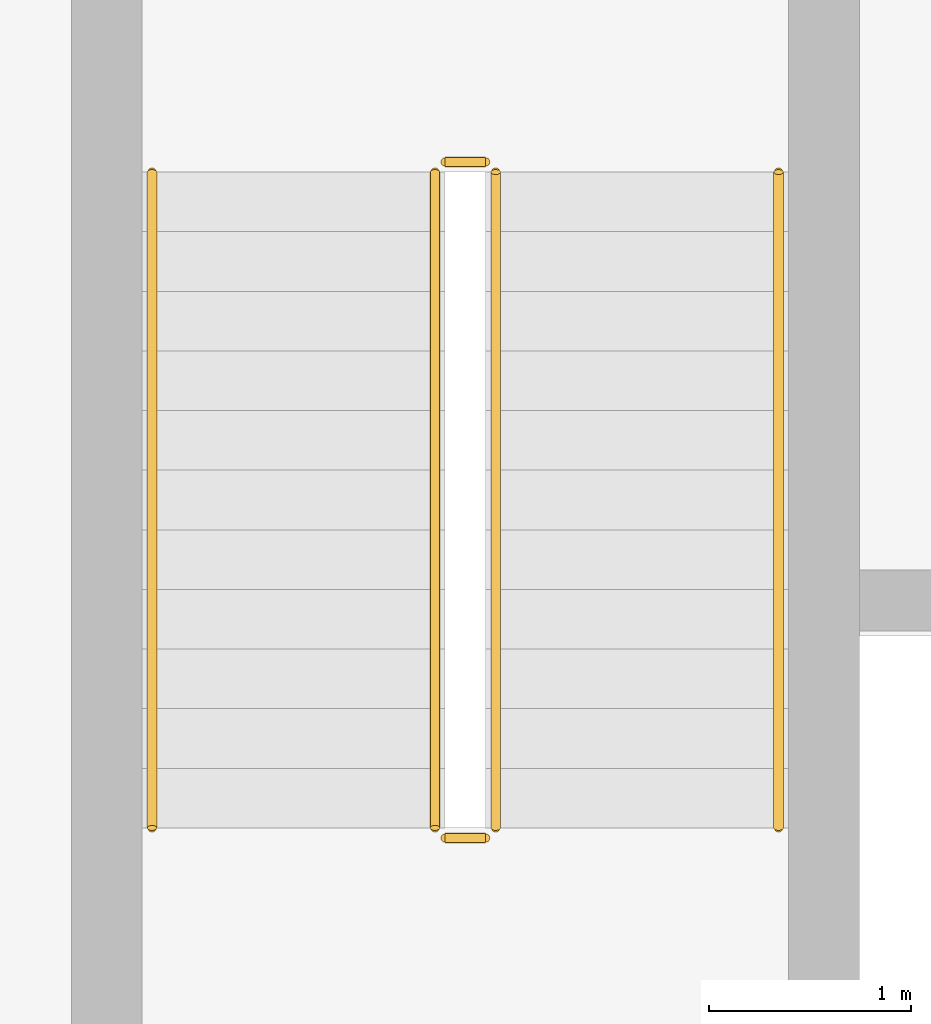
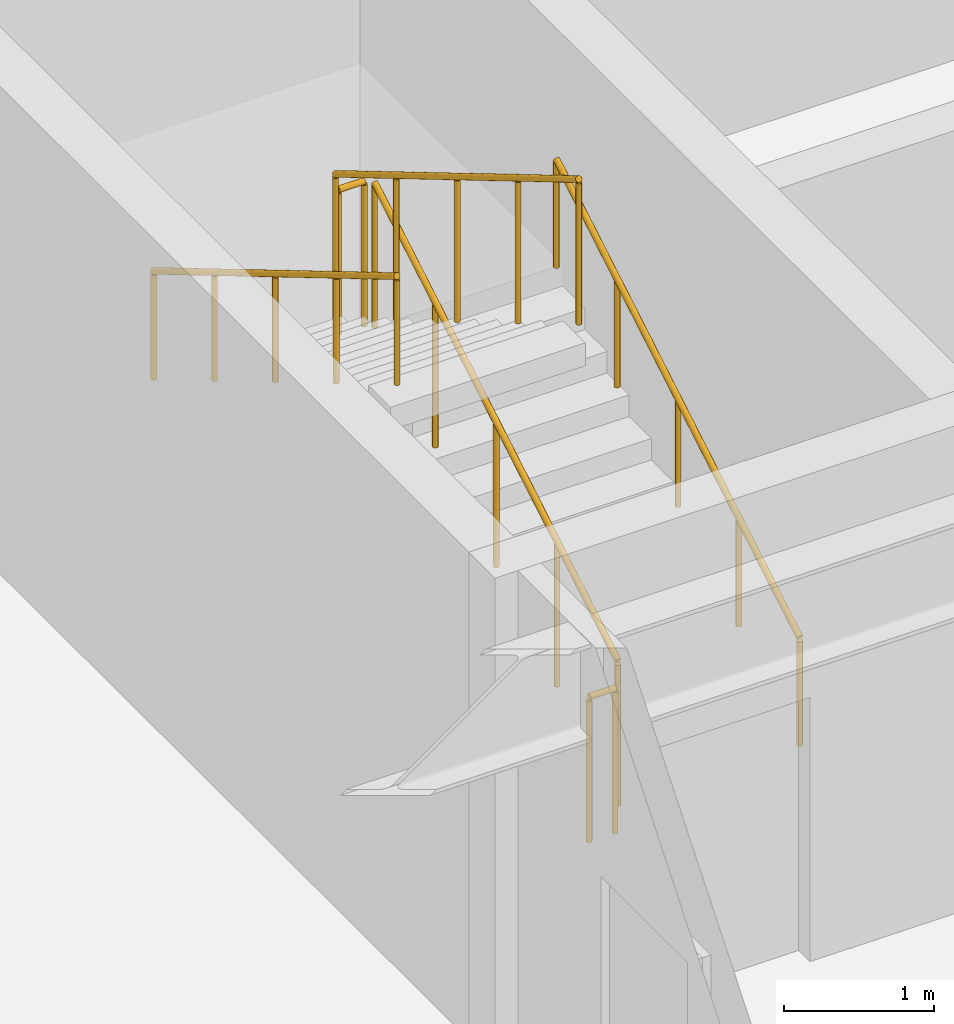
# One storey, part 86 of 88: 6 railings.
"""IFC4 building model written with IfcOpenShell, lengths in metres."""

from ifc_helpers import new_model, si_unit, direction, frame, origin, origin_2d, place, context, subcontext, project, spatial, circle, extrude, material, layer, layer_set, type_object, element, save


model = new_model("IFC4")

# Units and contexts
model_context = context("Model", 3, precision=1e-05, world=origin(), true_north=direction((0.0, 1.0)))
body_context = subcontext(model_context, "Body", "Model", "MODEL_VIEW")
ifc_project = project(units=[si_unit("LENGTHUNIT", "METRE"), si_unit("AREAUNIT", "SQUARE_METRE"), si_unit("VOLUMEUNIT", "CUBIC_METRE"), si_unit("PLANEANGLEUNIT", "RADIAN"), si_unit("MASSUNIT", "GRAM", prefix="KILO")], contexts=[model_context])

# Site, building, storey
site_placement = place(None, origin())
site = spatial("IfcSite", under=ifc_project, at=site_placement, CompositionType="ELEMENT")
building_placement = place(site_placement, origin())
building = spatial("IfcBuilding", under=site, at=building_placement, Name="Nordkorset Police Headquarters", CompositionType="ELEMENT")
storey_placement = place(building_placement, frame((0.0, 0.0, 9.449951171875)))
storey = spatial("IfcBuildingStorey", under=building, at=storey_placement, Name="L02", CompositionType="ELEMENT", Elevation=9.449951171875)

# Railings
ifc_material_1 = material(Name="Steel S355J2", Category="steel")
ifc_layer_1 = layer(ifc_material_1, 0.048095703125, Name="Steel S355J2")
ifc_layer_set_1 = layer_set([ifc_layer_1], Name="Steel S355J2")
railing_type_1 = type_object("IfcRailingType", Name="Railing_Handrail_900", PredefinedType="HANDRAIL", material=ifc_layer_set_1)
railing_1_placement = place(storey_placement, frame((109.125, 90.824951171875, 0.175048828125)))
element("IfcRailing", 1, at=railing_1_placement, inside=storey, type_object=railing_type_1, Name="L02 ST-05 stair handrail 1", PredefinedType="HANDRAIL", context=body_context, shape_type="SweptSolid", body=[
    extrude(circle(Radius=0.02392578125, at=origin_2d()), frame((0.0, 0.0, 0.8759765625), z_axis=(0.0, 0.860057060016, 0.510197857224), x_axis=(-1.0, 0.0, 0.0)), (0.0, 0.0, 1.0), 3.773193359375),
    extrude(circle(Radius=0.02099609375, at=origin_2d()), origin(), (0.0, 0.0, 1.0), 0.851806640625),
    extrude(circle(Radius=0.02099609375, at=origin_2d()), frame((0.0, 0.811279296875, 0.481201171875)), (0.0, 0.0, 1.0), 0.851806640625),
    extrude(circle(Radius=0.02099609375, at=origin_2d()), frame((0.0, 1.62255859375, 0.96240234375)), (0.0, 0.0, 1.0), 0.851806640625),
    extrude(circle(Radius=0.02099609375, at=origin_2d()), frame((0.0, 2.433837890625, 1.44384765625)), (0.0, 0.0, 1.0), 0.851806640625),
    extrude(circle(Radius=0.02099609375, at=origin_2d()), frame((0.0, 3.2451171875, 1.925048828125)), (0.0, 0.0, 1.0), 0.851806640625),
])
railing_2_placement = place(storey_placement, frame((106.02490234375, 94.070068359375, 2.275146484375)))
element("IfcRailing", 2, at=railing_2_placement, inside=storey, type_object=railing_type_1, Name="L02 ST-05 stair handrail 2", PredefinedType="HANDRAIL", context=body_context, shape_type="SweptSolid", body=[
    extrude(circle(Radius=0.02392578125, at=origin_2d()), frame((0.0, 0.0, 0.8759765625), z_axis=(0.0, -0.860085452069, 0.510149992786), x_axis=(1.0, 0.0, 0.0)), (0.0, 0.0, 1.0), 3.77294921875),
    extrude(circle(Radius=0.02099609375, at=origin_2d()), origin(), (0.0, 0.0, 1.0), 0.851806640625),
    extrude(circle(Radius=0.02099609375, at=origin_2d()), frame((0.0, -0.811279296875, 0.481201171875)), (0.0, 0.0, 1.0), 0.851806640625),
    extrude(circle(Radius=0.02099609375, at=origin_2d()), frame((0.0, -1.62255859375, 0.96240234375)), (0.0, 0.0, 1.0), 0.851806640625),
    extrude(circle(Radius=0.02099609375, at=origin_2d()), frame((0.0, -2.433837890625, 1.443603515625)), (0.0, 0.0, 1.0), 0.851806640625),
    extrude(circle(Radius=0.02099609375, at=origin_2d()), frame((0.0, -3.2451171875, 1.9248046875)), (0.0, 0.0, 1.0), 0.851806640625),
])
ifc_material_2 = material(Name="Steel S355J2", Category="steel")
ifc_layer_2 = layer(ifc_material_2, 0.050048828125, Name="Steel S355J2")
ifc_layer_set_2 = layer_set([ifc_layer_2], Name="Steel S355J2")
railing_type_2 = type_object("IfcRailingType", Name="Railing_StairGuard_1200", PredefinedType="GUARDRAIL", material=ifc_layer_set_2)
railing_3_placement = place(storey_placement, frame((107.72509765625, 90.824951171875, 0.175048828125)))
element("IfcRailing", 3, at=railing_3_placement, inside=storey, type_object=railing_type_2, Name="L02 ST-05 stair guard 1", PredefinedType="GUARDRAIL", context=body_context, shape_type="SweptSolid", body=[
    extrude(circle(Radius=0.02392578125, at=origin_2d()), frame((0.0, 0.0, 1.17578125), z_axis=(0.0, 0.860057060016, 0.510197857224), x_axis=(-1.0, 0.0, 0.0)), (0.0, 0.0, 1.0), 3.773193359375),
    extrude(circle(Radius=0.02099609375, at=origin_2d()), origin(), (0.0, 0.0, 1.0), 1.15185546875),
    extrude(circle(Radius=0.02099609375, at=origin_2d()), frame((0.0, 0.811279296875, 0.481201171875)), (0.0, 0.0, 1.0), 1.15185546875),
    extrude(circle(Radius=0.02099609375, at=origin_2d()), frame((0.0, 1.62255859375, 0.96240234375)), (0.0, 0.0, 1.0), 1.15185546875),
    extrude(circle(Radius=0.02099609375, at=origin_2d()), frame((0.0, 2.433837890625, 1.44384765625)), (0.0, 0.0, 1.0), 1.15185546875),
    extrude(circle(Radius=0.02099609375, at=origin_2d()), frame((0.0, 3.2451171875, 1.925048828125)), (0.0, 0.0, 1.0), 1.15185546875),
])
railing_4_placement = place(storey_placement, frame((107.675048828125, 94.1201171875, 2.10009765625)))
element("IfcRailing", 4, at=railing_4_placement, inside=storey, type_object=railing_type_2, Name="L02 ST-05 stair guard 2", PredefinedType="GUARDRAIL", context=body_context, shape_type="SweptSolid", body=[
    extrude(circle(Radius=0.02392578125, at=origin_2d()), frame((0.0, 0.0, 1.17578125), z_axis=(-1.0, 0.0, 0.0), x_axis=(0.0, -1.0, 0.0)), (0.0, 0.0, 1.0), 0.199951171875),
    extrude(circle(Radius=0.02099609375, at=origin_2d()), origin(), (0.0, 0.0, 1.0), 1.15185546875),
    extrude(circle(Radius=0.02099609375, at=origin_2d()), frame((-0.199951171875, 0.0, 0.0)), (0.0, 0.0, 1.0), 1.15185546875),
])
railing_5_placement = place(storey_placement, frame((107.425048828125, 94.070068359375, 2.275146484375)))
element("IfcRailing", 5, at=railing_5_placement, inside=storey, type_object=railing_type_2, Name="L02 ST-05 stair guard 3", PredefinedType="GUARDRAIL", context=body_context, shape_type="SweptSolid", body=[
    extrude(circle(Radius=0.02392578125, at=origin_2d()), frame((0.0, 0.0, 1.17578125), z_axis=(0.0, -0.860085452069, 0.510149992786), x_axis=(1.0, 0.0, 0.0)), (0.0, 0.0, 1.0), 3.77294921875),
    extrude(circle(Radius=0.02099609375, at=origin_2d()), origin(), (0.0, 0.0, 1.0), 1.15185546875),
    extrude(circle(Radius=0.02099609375, at=origin_2d()), frame((0.0, -0.811279296875, 0.481201171875)), (0.0, 0.0, 1.0), 1.15185546875),
    extrude(circle(Radius=0.02099609375, at=origin_2d()), frame((0.0, -1.62255859375, 0.96240234375)), (0.0, 0.0, 1.0), 1.15185546875),
    extrude(circle(Radius=0.02099609375, at=origin_2d()), frame((0.0, -2.433837890625, 1.443603515625)), (0.0, 0.0, 1.0), 1.15185546875),
    extrude(circle(Radius=0.02099609375, at=origin_2d()), frame((0.0, -3.2451171875, 1.9248046875)), (0.0, 0.0, 1.0), 1.15185546875),
])
railing_6_placement = place(storey_placement, frame((107.675048828125, 90.77490234375, 0.0)))
element("IfcRailing", 6, at=railing_6_placement, inside=storey, type_object=railing_type_2, Name="L02 ST-05 stair guard 4", PredefinedType="GUARDRAIL", context=body_context, shape_type="SweptSolid", body=[
    extrude(circle(Radius=0.02392578125, at=origin_2d()), frame((0.0, 0.0, 1.17578125), z_axis=(-1.0, 0.0, 0.0), x_axis=(0.0, -1.0, 0.0)), (0.0, 0.0, 1.0), 0.199951171875),
    extrude(circle(Radius=0.02099609375, at=origin_2d()), origin(), (0.0, 0.0, 1.0), 1.15185546875),
    extrude(circle(Radius=0.02099609375, at=origin_2d()), frame((-0.199951171875, 0.0, 0.0)), (0.0, 0.0, 1.0), 1.15185546875),
])

save(model, "model.ifc")
